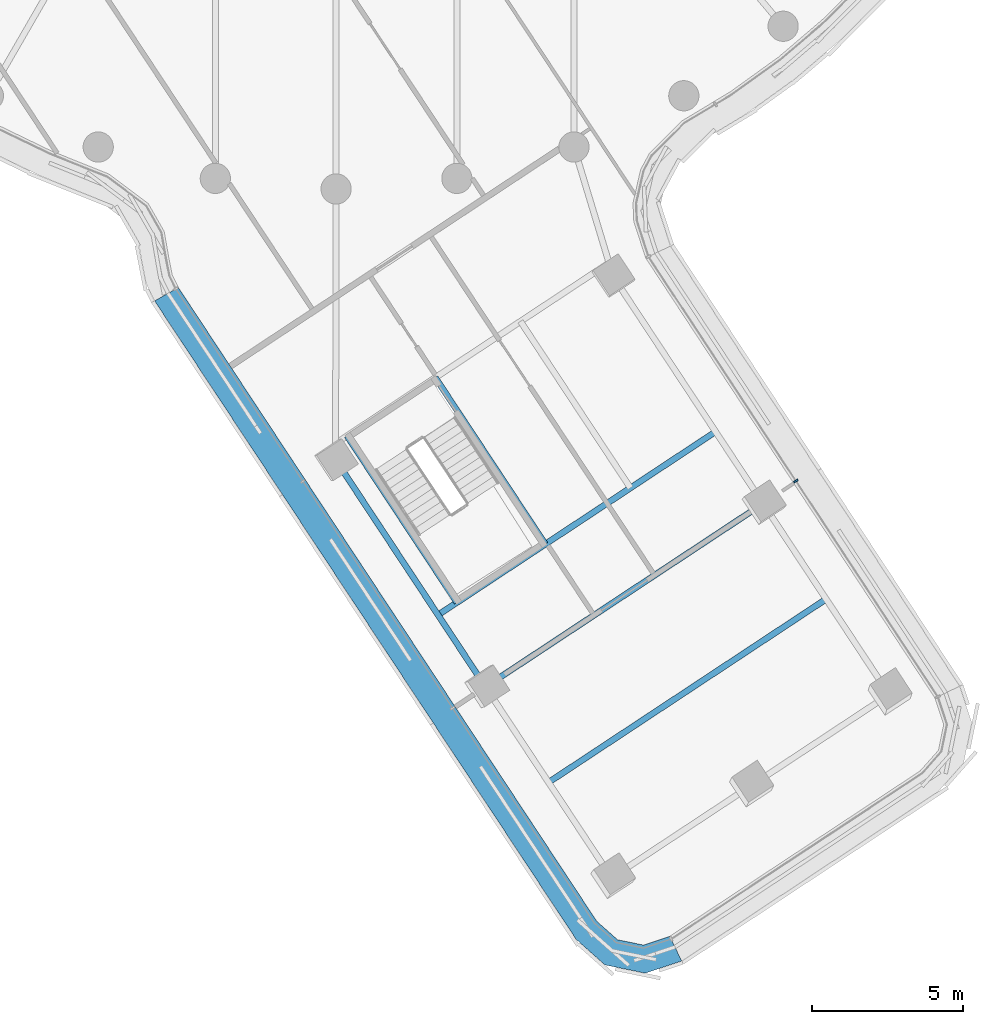
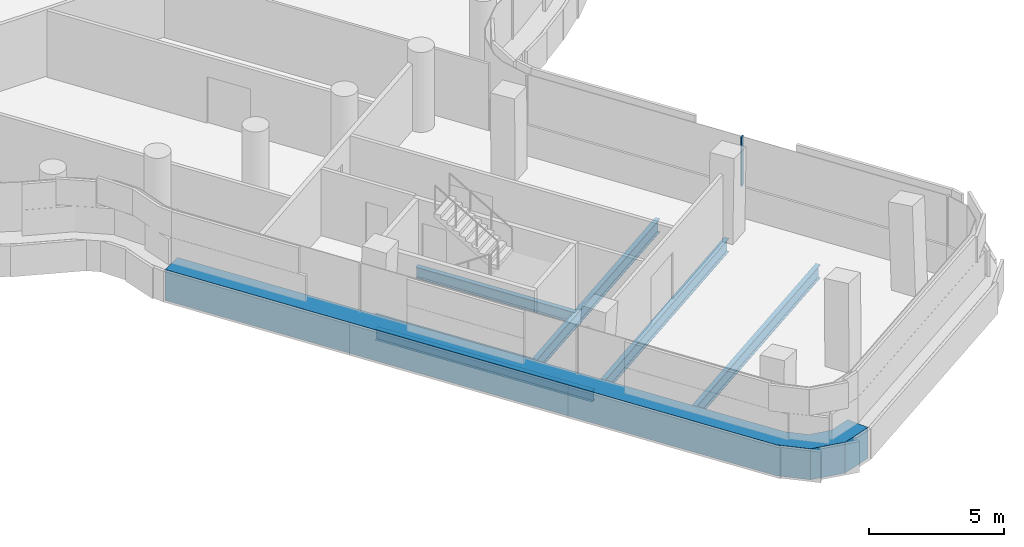
# One storey, part 4 of 35: 6 beams, 2 members, 2 elements without a shape of their own.
"""IFC4 building model written with IfcOpenShell, lengths in metres."""

from ifc_helpers import new_model, si_unit, direction, frame, origin, origin_2d, place, context, subcontext, project, spatial, polyline, rectangle, i_section, outline, extrude, material, layer, layer_set, material_profile, profile_set, type_object, element, aggregate, save


model = new_model("IFC4")

# Units and contexts
model_context = context("Model", 3, precision=1e-05, world=origin(), true_north=direction((0.0, 1.0)))
body_context = subcontext(model_context, "Body", "Model", "MODEL_VIEW")
ifc_project = project(units=[si_unit("LENGTHUNIT", "METRE"), si_unit("AREAUNIT", "SQUARE_METRE"), si_unit("VOLUMEUNIT", "CUBIC_METRE"), si_unit("PLANEANGLEUNIT", "RADIAN"), si_unit("MASSUNIT", "GRAM", prefix="KILO")], contexts=[model_context])

# Site, building, storey
site_placement = place(None, origin())
site = spatial("IfcSite", under=ifc_project, at=site_placement, CompositionType="ELEMENT")
building_placement = place(site_placement, origin())
building = spatial("IfcBuilding", under=site, at=building_placement, Name="Tamarind Cross Interchange Tower", CompositionType="ELEMENT")
storey_placement = place(building_placement, frame((0.0, 0.0, 155.5)))
storey = spatial("IfcBuildingStorey", under=building, at=storey_placement, Name="L38", CompositionType="ELEMENT", Elevation=155.5)

# Beams
ifc_material_1 = material(Name="Steel Q355B", Category="steel")
ifc_material_profile_1 = material_profile(ifc_material_1, i_section(OverallWidth=0.198974609375, OverallDepth=0.49609375, WebThickness=0.009033203125, FlangeThickness=0.013916015625, FilletRadius=0.012939453125, at=origin_2d()), Name="HN 496x199x9x14")
ifc_profile_set_1 = profile_set([ifc_material_profile_1], Name="Steel Q355B")
beam_type_1 = type_object("IfcBeamType", Name="Composite beam HN 496x199x9x14 Q355B", PredefinedType="BEAM", material=ifc_profile_set_1)
beam_1_placement = place(storey_placement, frame((4.94189453125, -39.467529296875, -0.387939453125), z_axis=(-0.550969936859, 0.8345250917, 0.0), x_axis=(-0.8345250917, -0.550969936859, 0.0)))
element("IfcBeam", 1, at=beam_1_placement, inside=storey, type_object=beam_type_1, Name="Beam S-edgeem6", PredefinedType="BEAM", context=body_context, shape_type="SweptSolid", body=[
    extrude(i_section(OverallWidth=0.198974609375, OverallDepth=0.49609375, WebThickness=0.009033203125, FlangeThickness=0.013916015625, FilletRadius=0.012939453125, at=origin_2d()), origin(), (0.0, 0.0, 1.0), 9.0),
])
for number, where, z_axis, x_axis, name in (
    (2, (0.361083984375, -31.168212890625, -0.387939453125), (0.55098134218, -0.83451756157, 0.0), (0.83451756157, 0.55098134218, 0.0), "Beam S-tr0"),
    (3, (3.281982421875, -29.23974609375, -0.387939453125), (0.55098134218, -0.83451756157, 0.0), (0.83451756157, 0.55098134218, 0.0), "Beam S-tr1"),
):
    element("IfcBeam", number, at=place(storey_placement, frame(where, z_axis=z_axis, x_axis=x_axis)), inside=storey, type_object=beam_type_1, Name=name, PredefinedType="BEAM", context=body_context, shape_type="SweptSolid", body=[
        extrude(i_section(OverallWidth=0.198974609375, OverallDepth=0.49609375, WebThickness=0.009033203125, FlangeThickness=0.013916015625, FilletRadius=0.012939453125, at=origin_2d()), origin(), (0.0, 0.0, 1.0), 6.60009765625),
    ])
ifc_material_profile_2 = material_profile(ifc_material_1, i_section(OverallWidth=0.199951171875, OverallDepth=0.60009765625, WebThickness=0.010986328125, FlangeThickness=0.01708984375, FilletRadius=0.012939453125, at=origin_2d()), Name="HN 600x200x11x17")
ifc_profile_set_2 = profile_set([ifc_material_profile_2], Name="Steel Q355B")
beam_type_2 = type_object("IfcBeamType", Name="Composite beam HN 600x200x11x17 Q355B", PredefinedType="BEAM", material=ifc_profile_set_2)
beam_2_placement = place(storey_placement, frame((3.37158203125, -37.089111328125, -0.43994140625), z_axis=(0.834534504085, 0.550955680152, 0.0), x_axis=(-0.550955680152, 0.834534504085, 0.0)))
element("IfcBeam", 4, at=beam_2_placement, inside=storey, type_object=beam_type_2, Name="Beam S-x364", PredefinedType="BEAM", context=body_context, shape_type="SweptSolid", body=[
    extrude(i_section(OverallWidth=0.199951171875, OverallDepth=0.60009765625, WebThickness=0.010986328125, FlangeThickness=0.01708984375, FilletRadius=0.012939453125, at=origin_2d()), origin(), (0.0, 0.0, 1.0), 11.0),
])
beam_3_placement = place(storey_placement, frame((4.94189453125, -39.467529296875, -0.43994140625), z_axis=(0.834527766716, 0.550965885132, 0.0), x_axis=(-0.550965885132, 0.834527766716, 0.0)))
element("IfcBeam", 5, at=beam_3_placement, inside=storey, type_object=beam_type_2, Name="Beam S-x393", PredefinedType="BEAM", context=body_context, shape_type="SweptSolid", body=[
    extrude(i_section(OverallWidth=0.199951171875, OverallDepth=0.60009765625, WebThickness=0.010986328125, FlangeThickness=0.01708984375, FilletRadius=0.012939453125, at=origin_2d()), origin(), (0.0, 0.0, 1.0), 10.999755859375),
])
beam_4_placement = place(storey_placement, frame((7.026611328125, -42.625244140625, -0.43994140625), z_axis=(0.83451756157, 0.55098134218, 0.0), x_axis=(-0.55098134218, 0.83451756157, 0.0)))
element("IfcBeam", 6, at=beam_4_placement, inside=storey, type_object=beam_type_2, Name="Beam S-x431", PredefinedType="BEAM", context=body_context, shape_type="SweptSolid", body=[
    extrude(i_section(OverallWidth=0.199951171875, OverallDepth=0.60009765625, WebThickness=0.010986328125, FlangeThickness=0.01708984375, FilletRadius=0.012939453125, at=origin_2d()), origin(), (0.0, 0.0, 1.0), 11.0),
])

# Curtain wall, member
ifc_material_2 = material(Name="Aluminium 6063-T6", Category="aluminium")
ifc_layer = layer(ifc_material_2, 0.159912109375)
ifc_layer_set = layer_set([ifc_layer], Name="Aluminium 6063-T6")
curtain_wall_type = type_object("IfcCurtainWallType", Name="Office curtain wall, 9.0 m bays", PredefinedType="NOTDEFINED", material=ifc_layer_set)
curtain_wall_1_placement = place(storey_placement, origin())
curtain_wall_1 = element("IfcCurtainWall", 7, at=curtain_wall_1_placement, inside=storey, type_object=curtain_wall_type, Name="CWS-L38-07", PredefinedType="NOTDEFINED")
ifc_material_3 = material(Name="Aluminium and insulated spandrel panel", Category="aluminium")
member_type_1 = type_object("IfcMemberType", Name="Floor-edge blade transom", PredefinedType="USERDEFINED", material=ifc_material_3)
member_1_placement = place(storey_placement, origin())
member_1 = element("IfcMember", 8, at=member_1_placement, type_object=member_type_1, Name="CWT-L38-07", ObjectType="TRANSOM", PredefinedType="USERDEFINED", context=body_context, shape_type="SweptSolid", body=[
    extrude(outline(polyline([(-5.2177734375, -26.25732421875), (8.623779296875, -47.222412109375), (9.308837890625, -47.829833984375), (10.16552734375, -48.005126953125), (11.033935546875, -47.715576171875), (11.430908203125, -48.531982421875), (10.22119140625, -48.935302734375), (8.89208984375, -48.6630859375), (7.93798828125, -47.817138671875), (-6.00146484375, -26.703857421875), (-5.2177734375, -26.25732421875)])), origin(), (0.0, 0.0, 1.0), 1.39990234375),
])
aggregate(curtain_wall_1, [member_1])

curtain_wall_2_placement = place(storey_placement, origin())
curtain_wall_2 = element("IfcCurtainWall", 9, at=curtain_wall_2_placement, inside=storey, type_object=curtain_wall_type, Name="CWS-L38-09", PredefinedType="NOTDEFINED")
ifc_material_profile_3 = material_profile(ifc_material_2, rectangle(XDim=0.06005859375, YDim=0.159912109375, at=origin_2d()), Name="Mullion CW1")
ifc_profile_set_3 = profile_set([ifc_material_profile_3], Name="Aluminium 6063-T6")
member_type_2 = type_object("IfcMemberType", Name="Mullion CW1", PredefinedType="MULLION", material=ifc_profile_set_3)
member_2_placement = place(storey_placement, frame((15.20654296875, -32.658447265625, 1.39990234375), z_axis=(0.0, 0.0, 1.0), x_axis=(-0.549247742562, 0.835659570214, 0.0)))
member_2 = element("IfcMember", 10, at=member_2_placement, type_object=member_type_2, Name="CWM-L38-09-01", PredefinedType="MULLION", context=body_context, shape_type="SweptSolid", body=[
    extrude(rectangle(XDim=0.06005859375, YDim=0.159912109375, at=origin_2d()), origin(), (0.0, 0.0, 1.0), 2.210205078125),
])
aggregate(curtain_wall_2, [member_2])

save(model, "model.ifc")
